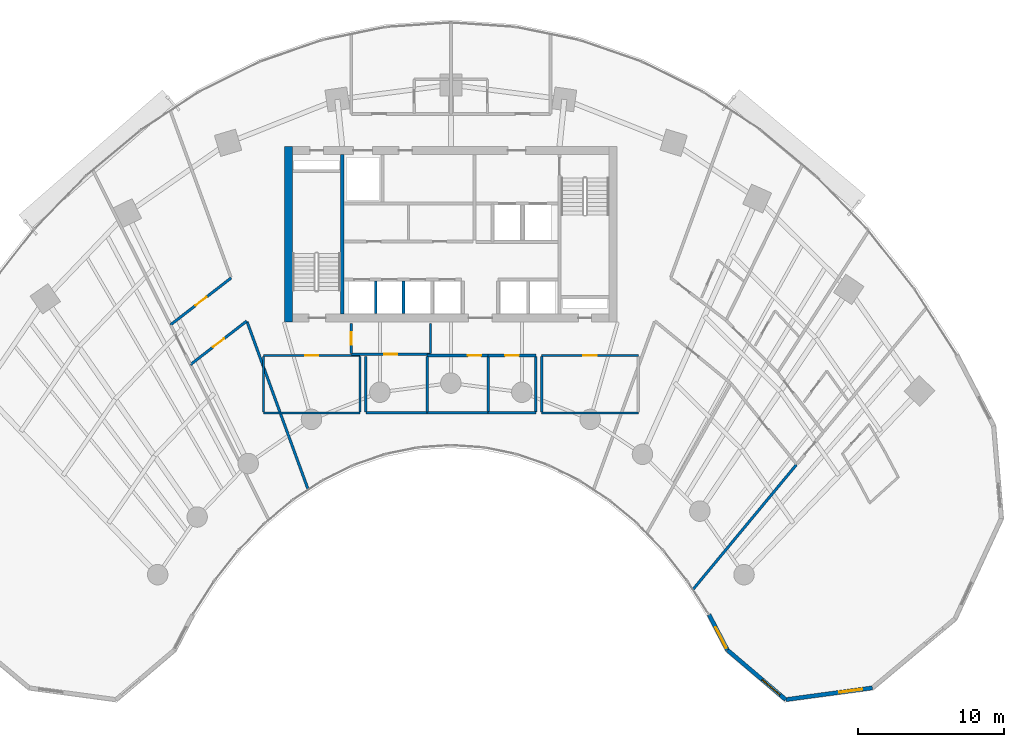
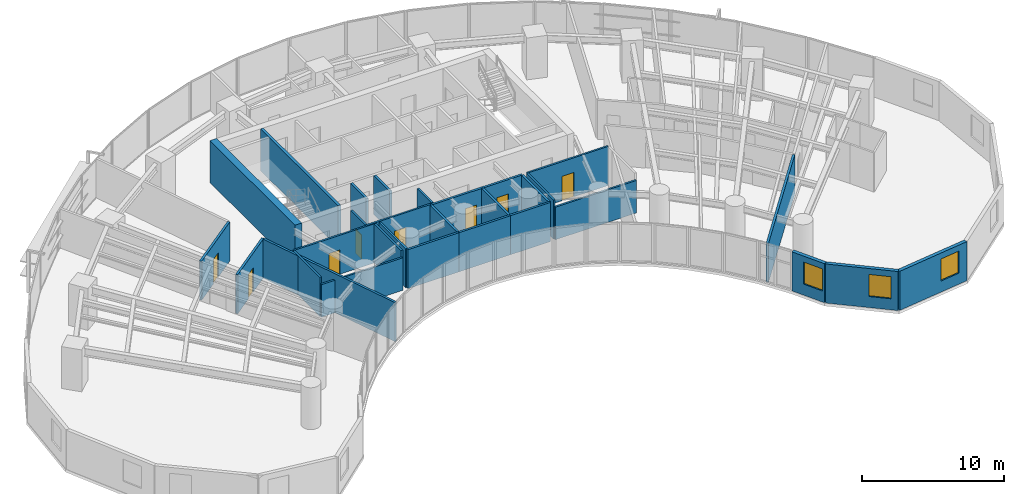
# One storey, part 11 of 17: 30 walls, 8 doors, 3 windows, 11 openings.
"""IFC4 building model written with IfcOpenShell, lengths in metres."""

from ifc_helpers import new_model, si_unit, direction, frame, frame_2d, origin, place, context, subcontext, project, spatial, rectangle, extrude, source, transform, mapped, material, layer, layer_set, type_object, type_shapes, element, fill, save


model = new_model("IFC4")

# Units and contexts
model_context = context("Model", 3, precision=1e-05, world=origin(), true_north=direction((0.0, 1.0)))
body_context = subcontext(model_context, "Body", "Model", "MODEL_VIEW")
ifc_project = project(units=[si_unit("LENGTHUNIT", "METRE"), si_unit("AREAUNIT", "SQUARE_METRE"), si_unit("VOLUMEUNIT", "CUBIC_METRE"), si_unit("PLANEANGLEUNIT", "RADIAN"), si_unit("MASSUNIT", "GRAM", prefix="KILO")], contexts=[model_context])

# Site, building, storey
site_placement = place(None, origin())
site = spatial("IfcSite", under=ifc_project, at=site_placement, CompositionType="ELEMENT")
building_placement = place(site_placement, origin())
building = spatial("IfcBuilding", under=site, at=building_placement, Name="Breltana Convention Tower", CompositionType="ELEMENT")
storey_placement = place(building_placement, frame((0.0, 0.0, 60.60009765625)))
storey = spatial("IfcBuildingStorey", under=building, at=storey_placement, Name="L13", CompositionType="ELEMENT", Elevation=60.60009765625)

# Walls
ifc_material_1 = material(Name="Concrete C60/75", Category="concrete")
ifc_layer_1 = layer(ifc_material_1, 0.550048828125, Name="Concrete C60/75")
ifc_layer_set_1 = layer_set([ifc_layer_1], Name="Concrete C60/75")
wall_type_1 = type_object("IfcWallType", Name="SW-CORE-550", PredefinedType="SHEAR", material=ifc_layer_set_1)
shared_shape_1 = source(origin(), body_context, "Body", "SweptSolid", [
    extrude(rectangle(XDim=12.0, YDim=0.550048828125, at=frame_2d((6.0, 0.0))), origin(), (0.0, 0.0, 1.0), 3.599853515625),
])
wall_1_placement = place(storey_placement, frame((36.925048828125, 60.199951171875, 0.0), z_axis=(0.0, 0.0, 1.0), x_axis=(0.0, 1.0, 0.0)))
element("IfcWall", 1, at=wall_1_placement, inside=storey, type_object=wall_type_1, Name="L13 West Core Shear Wall", PredefinedType="SHEAR", context=body_context, shape_type="MappedRepresentation", body=[
    mapped(shared_shape_1, transform((0.0, 0.0, 0.0), scale=1.0)),
])
ifc_material_2 = material(Name="Concrete C50/60", Category="concrete")
ifc_layer_2 = layer(ifc_material_2, 0.39990234375, Name="Concrete C50/60")
ifc_layer_set_2 = layer_set([ifc_layer_2], Name="Concrete C50/60")
wall_type_2 = type_object("IfcWallType", Name="SW-CORE-400", PredefinedType="SHEAR", material=ifc_layer_set_2)
shared_shape_2 = source(origin(), body_context, "Body", "SweptSolid", [
    extrude(rectangle(XDim=10.89990234375, YDim=0.219970703125, at=frame_2d((5.449951171875, 0.0))), origin(), (0.0, 0.0, 1.0), 3.599853515625),
])
wall_2_placement = place(storey_placement, frame((40.580078125, 60.75, 0.0), z_axis=(0.0, 0.0, 1.0), x_axis=(0.0, 1.0, 0.0)))
element("IfcWall", 2, at=wall_2_placement, inside=storey, type_object=wall_type_2, Name="L13 Core West Stair Spine Wall", PredefinedType="SHEAR", context=body_context, shape_type="MappedRepresentation", body=[
    mapped(shared_shape_2, transform((0.0, 0.0, 0.0), scale=1.0)),
])

# Wall, opening, window
ifc_material_3 = material(Name="Limestone Buff Insulated Wall", Category="masonry")
ifc_layer_3 = layer(ifc_material_3, 0.280029296875, Name="Limestone Buff Insulated Wall")
ifc_layer_set_3 = layer_set([ifc_layer_3], Name="Limestone Buff Insulated Wall")
wall_type_3 = type_object("IfcWallType", Name="WL-EXT-NOSE-280", PredefinedType="SOLIDWALL", material=ifc_layer_set_3)
shared_shape_3 = source(origin(), body_context, "Body", "SweptSolid", [
    extrude(rectangle(XDim=5.96728515625, YDim=0.280029296875, at=frame_2d((2.983642578125, 0.0))), origin(), (0.0, 0.0, 1.0), 3.35986328125),
])
wall_3_placement = place(storey_placement, frame((76.77734375, 35.226806640625, 0.0), z_axis=(0.0, 0.0, 1.0), x_axis=(-0.990927009341, -0.134401124099, 0.0)))
wall_3 = element("IfcWall", 3, at=wall_3_placement, inside=storey, type_object=wall_type_3, Name="L13 curved limestone nose wall E4", PredefinedType="SOLIDWALL", context=body_context, shape_type="MappedRepresentation", body=[
    mapped(shared_shape_3, transform((0.0, 0.0, 0.0), scale=1.0)),
])
opening_1_placement = place(wall_3_placement, frame((0.69189453125, 0.0, 0.949951171875)))
opening_1 = element("IfcOpeningElement", 4, at=opening_1_placement, cuts=wall_3, Name="Opening W-04", PredefinedType="OPENING", context=body_context, shape_type="SweptSolid", body=[
    extrude(rectangle(XDim=1.60009765625, YDim=1.89990234375, at=frame_2d((0.800048828125, 0.949951171875))), frame((0.0, 0.14990234375, 0.0), z_axis=(0.0, -1.0, 0.0), x_axis=(1.0, 0.0, 0.0)), (0.0, 0.0, 1.0), 0.300048828125),
])
ifc_material_4 = material(Name="Glass Low-E Insulated Window", Category="glass")
window_type = type_object("IfcWindowType", Name="WN-NOSE-1600X1900", PartitioningType="SINGLE_PANEL", PredefinedType="WINDOW", material=ifc_material_4)
shared_shape_4 = source(origin(), body_context, "Body", "SweptSolid", [
    extrude(rectangle(XDim=1.60009765625, YDim=1.89990234375, at=frame_2d((0.800048828125, 0.949951171875))), frame((0.0, 0.030029296875, 0.0), z_axis=(0.0, -1.0, 0.0), x_axis=(1.0, 0.0, 0.0)), (0.0, 0.0, 1.0), 0.06005859375),
])
type_shapes(window_type, [shared_shape_4])
window_1_placement = place(opening_1_placement, origin())
window_1 = element("IfcWindow", 5, at=window_1_placement, inside=storey, type_object=window_type, Name="L13 nose window E4", OverallHeight=1.89990234375, OverallWidth=1.60009765625, PartitioningType="SINGLE_PANEL", PredefinedType="WINDOW", context=body_context, shape_type="MappedRepresentation", body=[
    mapped(shared_shape_4, transform((0.0, 0.0, 0.0), scale=1.0)),
])
fill(opening_1, window_1)

shared_shape_5 = source(origin(), body_context, "Body", "SweptSolid", [
    extrude(rectangle(XDim=5.222412109375, YDim=0.280029296875, at=frame_2d((2.611328125, 0.0))), origin(), (0.0, 0.0, 1.0), 3.35986328125),
])
wall_4_placement = place(storey_placement, frame((70.8642578125, 34.4248046875, 0.0), z_axis=(0.0, 0.0, 1.0), x_axis=(-0.761900099546, 0.647694556339, 0.0)))
wall_4 = element("IfcWall", 6, at=wall_4_placement, inside=storey, type_object=wall_type_3, Name="L13 curved limestone nose wall E5", PredefinedType="SOLIDWALL", context=body_context, shape_type="MappedRepresentation", body=[
    mapped(shared_shape_5, transform((0.0, 0.0, 0.0), scale=1.0)),
])
opening_2_placement = place(wall_4_placement, frame((0.505615234375, 0.0, 0.949951171875)))
opening_2 = element("IfcOpeningElement", 7, at=opening_2_placement, cuts=wall_4, Name="Opening W-04", PredefinedType="OPENING", context=body_context, shape_type="SweptSolid", body=[
    extrude(rectangle(XDim=1.60009765625, YDim=1.89990234375, at=frame_2d((0.800048828125, 0.949951171875))), frame((0.0, 0.14990234375, 0.0), z_axis=(0.0, -1.0, 0.0), x_axis=(1.0, 0.0, 0.0)), (0.0, 0.0, 1.0), 0.300048828125),
])
window_2_placement = place(opening_2_placement, origin())
window_2 = element("IfcWindow", 8, at=window_2_placement, inside=storey, type_object=window_type, Name="L13 nose window E5", OverallHeight=1.89990234375, OverallWidth=1.60009765625, PartitioningType="SINGLE_PANEL", PredefinedType="WINDOW", context=body_context, shape_type="MappedRepresentation", body=[
    mapped(shared_shape_4, transform((0.0, 0.0, 0.0), scale=1.0)),
])
fill(opening_2, window_2)

shared_shape_6 = source(origin(), body_context, "Body", "SweptSolid", [
    extrude(rectangle(XDim=2.7353515625, YDim=0.280029296875, at=frame_2d((1.36767578125, 0.0))), origin(), (0.0, 0.0, 1.0), 3.35986328125),
])
wall_5_placement = place(storey_placement, frame((66.88525390625, 37.807373046875, 0.0), z_axis=(0.0, 0.0, 1.0), x_axis=(-0.46179107292, 0.886988728774, 0.0)))
wall_5 = element("IfcWall", 9, at=wall_5_placement, inside=storey, type_object=wall_type_3, Name="L13 curved limestone nose wall E6", PredefinedType="SOLIDWALL", context=body_context, shape_type="MappedRepresentation", body=[
    mapped(shared_shape_6, transform((0.0, 0.0, 0.0), scale=1.0)),
])
opening_3_placement = place(wall_5_placement, frame((0.159912109375, 0.0, 0.949951171875)))
opening_3 = element("IfcOpeningElement", 10, at=opening_3_placement, cuts=wall_5, Name="Opening W-04", PredefinedType="OPENING", context=body_context, shape_type="SweptSolid", body=[
    extrude(rectangle(XDim=1.60009765625, YDim=1.89990234375, at=frame_2d((0.800048828125, 0.949951171875))), frame((0.0, 0.14990234375, 0.0), z_axis=(0.0, -1.0, 0.0), x_axis=(1.0, 0.0, 0.0)), (0.0, 0.0, 1.0), 0.300048828125),
])
window_3_placement = place(opening_3_placement, origin())
window_3 = element("IfcWindow", 11, at=window_3_placement, inside=storey, type_object=window_type, Name="L13 nose window E6", OverallHeight=1.89990234375, OverallWidth=1.60009765625, PartitioningType="SINGLE_PANEL", PredefinedType="WINDOW", context=body_context, shape_type="MappedRepresentation", body=[
    mapped(shared_shape_4, transform((0.0, 0.0, 0.0), scale=1.0)),
])
fill(opening_3, window_3)

# Walls
ifc_material_5 = material(Name="Gypsum Acoustic Drywall Partition")
ifc_layer_4 = layer(ifc_material_5, 0.14990234375, Name="Gypsum Acoustic Drywall Partition")
ifc_layer_set_4 = layer_set([ifc_layer_4], Name="Gypsum Acoustic Drywall Partition")
wall_type_4 = type_object("IfcWallType", Name="WL-PART-150", PredefinedType="PARTITIONING", material=ifc_layer_set_4)
shared_shape_7 = source(origin(), body_context, "Body", "SweptSolid", [
    extrude(rectangle(XDim=6.60009765625, YDim=0.14990234375, at=frame_2d((3.300048828125, 0.0))), origin(), (0.0, 0.0, 1.0), 2.802978515625),
])
for number, where, z_axis, x_axis, name in (
    (12, (35.199951171875, 54.0, 0.0), (0.0, 0.0, 1.0), (1.0, 0.0, 0.0), "L13 interior partition W-L13-HSK-S"),
    (13, (54.199951171875, 54.0, 0.0), (0.0, 0.0, 1.0), (1.0, 0.0, 0.0), "L13 interior partition W-L13-HMT-S"),
):
    element("IfcWall", number, at=place(storey_placement, frame(where, z_axis=z_axis, x_axis=x_axis)), inside=storey, type_object=wall_type_4, Name=name, PredefinedType="PARTITIONING", context=body_context, shape_type="MappedRepresentation", body=[
        mapped(shared_shape_7, transform((0.0, 0.0, 0.0), scale=1.0)),
    ])
ifc_material_6 = material(Name="Autoclaved Aerated Concrete Block", Category="concrete")
ifc_layer_5 = layer(ifc_material_6, 0.199951171875, Name="Autoclaved Aerated Concrete Block")
ifc_layer_set_5 = layer_set([ifc_layer_5], Name="Autoclaved Aerated Concrete Block")
wall_type_5 = type_object("IfcWallType", Name="WL-SHAFT-200", PredefinedType="SOLIDWALL", material=ifc_layer_set_5)
shared_shape_8 = source(origin(), body_context, "Body", "SweptSolid", [
    extrude(rectangle(XDim=2.199951171875, YDim=0.199951171875, at=frame_2d((1.10009765625, 0.0))), origin(), (0.0, 0.0, 1.0), 3.35986328125),
])
for number, where, z_axis, x_axis, name in (
    (14, (42.8701171875, 60.800048828125, 0.0), (0.0, 0.0, 1.0), (0.0, 1.0, 0.0), "L13 interior partition W-L13-SH-S-DIV1"),
    (15, (44.77001953125, 60.800048828125, 0.0), (0.0, 0.0, 1.0), (0.0, 1.0, 0.0), "L13 interior partition W-L13-SH-S-DIV2"),
):
    element("IfcWall", number, at=place(storey_placement, frame(where, z_axis=z_axis, x_axis=x_axis)), inside=storey, type_object=wall_type_5, Name=name, PredefinedType="SOLIDWALL", context=body_context, shape_type="MappedRepresentation", body=[
        mapped(shared_shape_8, transform((0.0, 0.0, 0.0), scale=1.0)),
    ])

# Wall, opening, door
shared_shape_9 = source(origin(), body_context, "Body", "SweptSolid", [
    extrude(rectangle(XDim=6.60009765625, YDim=0.14990234375, at=frame_2d((3.300048828125, 0.0))), origin(), (0.0, 0.0, 1.0), 3.35986328125),
])
wall_6_placement = place(storey_placement, frame((35.199951171875, 57.919921875, 0.0), z_axis=(0.0, 0.0, 1.0), x_axis=(1.0, 0.0, 0.0)))
wall_6 = element("IfcWall", 16, at=wall_6_placement, inside=storey, type_object=wall_type_4, Name="L13 interior partition W-L13-HSK-N", PredefinedType="PARTITIONING", context=body_context, shape_type="MappedRepresentation", body=[
    mapped(shared_shape_9, transform((0.0, 0.0, 0.0), scale=1.0)),
])
opening_4_placement = place(wall_6_placement, frame((2.85009765625, 0.0, 0.0)))
opening_4 = element("IfcOpeningElement", 17, at=opening_4_placement, cuts=wall_6, Name="Opening D-18", PredefinedType="OPENING", context=body_context, shape_type="SweptSolid", body=[
    extrude(rectangle(XDim=0.89990234375, YDim=2.10009765625, at=frame_2d((0.449951171875, 1.050048828125))), frame((0.0, 0.0849609375, 0.0), z_axis=(0.0, -1.0, 0.0), x_axis=(1.0, 0.0, 0.0)), (0.0, 0.0, 1.0), 0.169921875),
])
ifc_material_7 = material(Name="Steel Riser Fire Door", Category="steel")
door_type_1 = type_object("IfcDoorType", Name="DR-FD60-900", OperationType="NOTDEFINED", PredefinedType="DOOR", material=ifc_material_7)
shared_shape_10 = source(origin(), body_context, "Body", "SweptSolid", [
    extrude(rectangle(XDim=0.89990234375, YDim=2.10009765625, at=frame_2d((0.449951171875, 1.050048828125))), frame((0.0, 0.02490234375, 0.0), z_axis=(0.0, -1.0, 0.0), x_axis=(1.0, 0.0, 0.0)), (0.0, 0.0, 1.0), 0.050048828125),
])
type_shapes(door_type_1, [shared_shape_10])
door_1_placement = place(opening_4_placement, origin())
door_1 = element("IfcDoor", 18, at=door_1_placement, inside=storey, type_object=door_type_1, Name="L13 interior door D-L13-HSK", OperationType="SINGLE_SWING_LEFT", OverallHeight=2.10009765625, OverallWidth=0.89990234375, PredefinedType="DOOR", context=body_context, shape_type="MappedRepresentation", body=[
    mapped(shared_shape_10, transform((0.0, 0.0, 0.0), scale=1.0)),
])
fill(opening_4, door_1)

wall_7_placement = place(storey_placement, frame((54.199951171875, 57.919921875, 0.0), z_axis=(0.0, 0.0, 1.0), x_axis=(1.0, 0.0, 0.0)))
wall_7 = element("IfcWall", 19, at=wall_7_placement, inside=storey, type_object=wall_type_4, Name="L13 interior partition W-L13-HMT-N", PredefinedType="PARTITIONING", context=body_context, shape_type="MappedRepresentation", body=[
    mapped(shared_shape_9, transform((0.0, 0.0, 0.0), scale=1.0)),
])
opening_5_placement = place(wall_7_placement, frame((2.824951171875, 0.0, 0.0)))
opening_5 = element("IfcOpeningElement", 20, at=opening_5_placement, cuts=wall_7, Name="Opening D-17", PredefinedType="OPENING", context=body_context, shape_type="SweptSolid", body=[
    extrude(rectangle(XDim=0.949951171875, YDim=2.10009765625, at=frame_2d((0.47509765625, 1.050048828125))), frame((0.0, 0.0849609375, 0.0), z_axis=(0.0, -1.0, 0.0), x_axis=(1.0, 0.0, 0.0)), (0.0, 0.0, 1.0), 0.169921875),
])
ifc_material_8 = material(Name="Timber Oak Veneer Door", Category="wood")
door_type_2 = type_object("IfcDoorType", Name="DR-INT-950", OperationType="NOTDEFINED", PredefinedType="DOOR", material=ifc_material_8)
shared_shape_11 = source(origin(), body_context, "Body", "SweptSolid", [
    extrude(rectangle(XDim=0.949951171875, YDim=2.10009765625, at=frame_2d((0.47509765625, 1.050048828125))), frame((0.0, 0.02490234375, 0.0), z_axis=(0.0, -1.0, 0.0), x_axis=(1.0, 0.0, 0.0)), (0.0, 0.0, 1.0), 0.050048828125),
])
type_shapes(door_type_2, [shared_shape_11])
door_2_placement = place(opening_5_placement, origin())
door_2 = element("IfcDoor", 21, at=door_2_placement, inside=storey, type_object=door_type_2, Name="L13 interior door D-L13-HMT", OperationType="SINGLE_SWING_LEFT", OverallHeight=2.10009765625, OverallWidth=0.949951171875, PredefinedType="DOOR", context=body_context, shape_type="MappedRepresentation", body=[
    mapped(shared_shape_11, transform((0.0, 0.0, 0.0), scale=1.0)),
])
fill(opening_5, door_2)

# Walls
shared_shape_12 = source(origin(), body_context, "Body", "SweptSolid", [
    extrude(rectangle(XDim=3.78515625, YDim=0.14990234375, at=frame_2d((1.892578125, 0.0))), origin(), (0.0, 0.0, 1.0), 3.35986328125),
])
for number, where, z_axis, x_axis, name in (
    (22, (35.199951171875, 54.0673828125, 0.0), (0.0, 0.0, 1.0), (0.0, 1.0, 0.0), "L13 interior partition W-L13-HSK-W"),
    (23, (41.800048828125, 54.0673828125, 0.0), (0.0, 0.0, 1.0), (0.0, 1.0, 0.0), "L13 interior partition W-L13-HSK-E"),
    (24, (54.199951171875, 54.0673828125, 0.0), (0.0, 0.0, 1.0), (0.0, 1.0, 0.0), "L13 interior partition W-L13-HMT-W"),
):
    element("IfcWall", number, at=place(storey_placement, frame(where, z_axis=z_axis, x_axis=x_axis)), inside=storey, type_object=wall_type_4, Name=name, PredefinedType="PARTITIONING", context=body_context, shape_type="MappedRepresentation", body=[
        mapped(shared_shape_12, transform((0.0, 0.0, 0.0), scale=1.0)),
    ])
ifc_material_9 = material(Name="Cement Board Wet-Area Partition")
ifc_layer_6 = layer(ifc_material_9, 0.175048828125, Name="Cement Board Wet-Area Partition")
ifc_layer_set_6 = layer_set([ifc_layer_6], Name="Cement Board Wet-Area Partition")
wall_type_6 = type_object("IfcWallType", Name="WL-WET-175", PredefinedType="PARTITIONING", material=ifc_layer_set_6)
shared_shape_13 = source(origin(), body_context, "Body", "SweptSolid", [
    extrude(rectangle(XDim=4.176025390625, YDim=0.175048828125, at=frame_2d((2.087890625, 0.0))), origin(), (0.0, 0.0, 1.0), 3.35986328125),
])
for number, where, z_axis, x_axis, name in (
    (25, (42.199951171875, 54.0, 0.0), (0.0, 0.0, 1.0), (1.0, 0.0, 0.0), "L13 interior partition W-L13-WCM-S"),
    (26, (46.3759765625, 54.0, 0.0), (0.0, 0.0, 1.0), (1.0, 0.0, 0.0), "L13 interior partition W-L13-WCF-S"),
):
    element("IfcWall", number, at=place(storey_placement, frame(where, z_axis=z_axis, x_axis=x_axis)), inside=storey, type_object=wall_type_6, Name=name, PredefinedType="PARTITIONING", context=body_context, shape_type="MappedRepresentation", body=[
        mapped(shared_shape_13, transform((0.0, 0.0, 0.0), scale=1.0)),
    ])

# Wall, opening, door
ifc_material_10 = material(Name="Moisture-Resistant Gypsum Chase Wall")
ifc_layer_7 = layer(ifc_material_10, 0.179931640625, Name="Moisture-Resistant Gypsum Chase Wall")
ifc_layer_set_7 = layer_set([ifc_layer_7], Name="Moisture-Resistant Gypsum Chase Wall")
wall_type_7 = type_object("IfcWallType", Name="WL-PLUMB-180", PredefinedType="PLUMBINGWALL", material=ifc_layer_set_7)
shared_shape_14 = source(origin(), body_context, "Body", "SweptSolid", [
    extrude(rectangle(XDim=4.176025390625, YDim=0.179931640625, at=frame_2d((2.087890625, 0.0))), origin(), (0.0, 0.0, 1.0), 3.35986328125),
])
wall_8_placement = place(storey_placement, frame((46.3759765625, 57.919921875, 0.0), z_axis=(0.0, 0.0, 1.0), x_axis=(1.0, 0.0, 0.0)))
wall_8 = element("IfcWall", 27, at=wall_8_placement, inside=storey, type_object=wall_type_7, Name="L13 interior partition W-L13-WCF-N", PredefinedType="PLUMBINGWALL", context=body_context, shape_type="MappedRepresentation", body=[
    mapped(shared_shape_14, transform((0.0, 0.0, 0.0), scale=1.0)),
])
opening_6_placement = place(wall_8_placement, frame((2.7880859375, 0.0, 0.0)))
opening_6 = element("IfcOpeningElement", 28, at=opening_6_placement, cuts=wall_8, Name="Opening D-19", PredefinedType="OPENING", context=body_context, shape_type="SweptSolid", body=[
    extrude(rectangle(XDim=0.89990234375, YDim=2.080078125, at=frame_2d((0.449951171875, 1.0400390625))), frame((0.0, 0.10009765625, 0.0), z_axis=(0.0, -1.0, 0.0), x_axis=(1.0, 0.0, 0.0)), (0.0, 0.0, 1.0), 0.199951171875),
])
ifc_material_11 = material(Name="Timber Moisture-Resistant Door", Category="wood")
door_type_3 = type_object("IfcDoorType", Name="DR-WC-900", OperationType="NOTDEFINED", PredefinedType="DOOR", material=ifc_material_11)
shared_shape_15 = source(origin(), body_context, "Body", "SweptSolid", [
    extrude(rectangle(XDim=0.89990234375, YDim=2.080078125, at=frame_2d((0.449951171875, 1.0400390625))), frame((0.0, 0.02490234375, 0.0), z_axis=(0.0, -1.0, 0.0), x_axis=(1.0, 0.0, 0.0)), (0.0, 0.0, 1.0), 0.050048828125),
])
type_shapes(door_type_3, [shared_shape_15])
door_3_placement = place(opening_6_placement, origin())
door_3 = element("IfcDoor", 29, at=door_3_placement, inside=storey, type_object=door_type_3, Name="L13 interior door D-L13-WCF", OperationType="SINGLE_SWING_LEFT", OverallHeight=2.080078125, OverallWidth=0.89990234375, PredefinedType="DOOR", context=body_context, shape_type="MappedRepresentation", body=[
    mapped(shared_shape_15, transform((0.0, 0.0, 0.0), scale=1.0)),
])
fill(opening_6, door_3)

# Walls
shared_shape_16 = source(origin(), body_context, "Body", "SweptSolid", [
    extrude(rectangle(XDim=3.7626953125, YDim=0.175048828125, at=frame_2d((1.88134765625, 0.0))), origin(), (0.0, 0.0, 1.0), 3.35986328125),
])
for number, where, z_axis, x_axis, name in (
    (30, (42.199951171875, 54.07861328125, 0.0), (0.0, 0.0, 1.0), (0.0, 1.0, 0.0), "L13 interior partition W-L13-WCM-W"),
    (31, (46.3759765625, 54.07861328125, 0.0), (0.0, 0.0, 1.0), (0.0, 1.0, 0.0), "L13 interior partition W-L13-WCM-E"),
    (32, (50.552001953125, 54.07861328125, 0.0), (0.0, 0.0, 1.0), (0.0, 1.0, 0.0), "L13 interior partition W-L13-WCF-E"),
    (33, (53.800048828125, 54.07861328125, 0.0), (0.0, 0.0, 1.0), (0.0, 1.0, 0.0), "L13 interior partition W-L13-WCA-E"),
):
    element("IfcWall", number, at=place(storey_placement, frame(where, z_axis=z_axis, x_axis=x_axis)), inside=storey, type_object=wall_type_6, Name=name, PredefinedType="PARTITIONING", context=body_context, shape_type="MappedRepresentation", body=[
        mapped(shared_shape_16, transform((0.0, 0.0, 0.0), scale=1.0)),
    ])
shared_shape_17 = source(origin(), body_context, "Body", "SweptSolid", [
    extrude(rectangle(XDim=3.248046875, YDim=0.175048828125, at=frame_2d((1.6240234375, 0.0))), origin(), (0.0, 0.0, 1.0), 3.35986328125),
])
wall_9_placement = place(storey_placement, frame((50.552001953125, 54.0, 0.0), z_axis=(0.0, 0.0, 1.0), x_axis=(1.0, 0.0, 0.0)))
element("IfcWall", 34, at=wall_9_placement, inside=storey, type_object=wall_type_6, Name="L13 interior partition W-L13-WCA-S", PredefinedType="PARTITIONING", context=body_context, shape_type="MappedRepresentation", body=[
    mapped(shared_shape_17, transform((0.0, 0.0, 0.0), scale=1.0)),
])

# Wall, opening, door
shared_shape_18 = source(origin(), body_context, "Body", "SweptSolid", [
    extrude(rectangle(XDim=3.248046875, YDim=0.179931640625, at=frame_2d((1.6240234375, 0.0))), origin(), (0.0, 0.0, 1.0), 3.35986328125),
])
wall_10_placement = place(storey_placement, frame((50.552001953125, 57.919921875, 0.0), z_axis=(0.0, 0.0, 1.0), x_axis=(1.0, 0.0, 0.0)))
wall_10 = element("IfcWall", 35, at=wall_10_placement, inside=storey, type_object=wall_type_7, Name="L13 interior partition W-L13-WCA-N", PredefinedType="PLUMBINGWALL", context=body_context, shape_type="MappedRepresentation", body=[
    mapped(shared_shape_18, transform((0.0, 0.0, 0.0), scale=1.0)),
])
opening_7_placement = place(wall_10_placement, frame((1.14892578125, 0.0, 0.0)))
opening_7 = element("IfcOpeningElement", 36, at=opening_7_placement, cuts=wall_10, Name="Opening D-16", PredefinedType="OPENING", context=body_context, shape_type="SweptSolid", body=[
    extrude(rectangle(XDim=0.949951171875, YDim=2.1201171875, at=frame_2d((0.47509765625, 1.06005859375))), frame((0.0, 0.10009765625, 0.0), z_axis=(0.0, -1.0, 0.0), x_axis=(1.0, 0.0, 0.0)), (0.0, 0.0, 1.0), 0.199951171875),
])
ifc_material_12 = material(Name="Timber Laminate Accessible Door", Category="wood")
door_type_4 = type_object("IfcDoorType", Name="DR-ACC-950", OperationType="NOTDEFINED", PredefinedType="DOOR", material=ifc_material_12)
shared_shape_19 = source(origin(), body_context, "Body", "SweptSolid", [
    extrude(rectangle(XDim=0.949951171875, YDim=2.1201171875, at=frame_2d((0.47509765625, 1.06005859375))), frame((0.0, 0.02490234375, 0.0), z_axis=(0.0, -1.0, 0.0), x_axis=(1.0, 0.0, 0.0)), (0.0, 0.0, 1.0), 0.050048828125),
])
type_shapes(door_type_4, [shared_shape_19])
door_4_placement = place(opening_7_placement, origin())
door_4 = element("IfcDoor", 37, at=door_4_placement, inside=storey, type_object=door_type_4, Name="L13 interior door D-L13-WCA", OperationType="SINGLE_SWING_RIGHT", OverallHeight=2.1201171875, OverallWidth=0.949951171875, PredefinedType="DOOR", context=body_context, shape_type="MappedRepresentation", body=[
    mapped(shared_shape_19, transform((0.0, 0.0, 0.0), scale=1.0)),
])
fill(opening_7, door_4)

shared_shape_20 = source(origin(), body_context, "Body", "SweptSolid", [
    extrude(rectangle(XDim=5.400146484375, YDim=0.14990234375, at=frame_2d((2.7001953125, 0.0))), origin(), (0.0, 0.0, 1.0), 3.35986328125),
])
wall_11_placement = place(storey_placement, frame((41.199951171875, 58.0, 0.0), z_axis=(0.0, 0.0, 1.0), x_axis=(1.0, 0.0, 0.0)))
wall_11 = element("IfcWall", 38, at=wall_11_placement, inside=storey, type_object=wall_type_4, Name="L13 interior partition W-L13-CRSC-S", PredefinedType="PARTITIONING", context=body_context, shape_type="MappedRepresentation", body=[
    mapped(shared_shape_20, transform((0.0, 0.0, 0.0), scale=1.0)),
])
opening_8_placement = place(wall_11_placement, frame((2.25, 0.0, 0.0)))
opening_8 = element("IfcOpeningElement", 39, at=opening_8_placement, cuts=wall_11, Name="Opening D-19", PredefinedType="OPENING", context=body_context, shape_type="SweptSolid", body=[
    extrude(rectangle(XDim=0.89990234375, YDim=2.080078125, at=frame_2d((0.449951171875, 1.0400390625))), frame((0.0, 0.0849609375, 0.0), z_axis=(0.0, -1.0, 0.0), x_axis=(1.0, 0.0, 0.0)), (0.0, 0.0, 1.0), 0.169921875),
])
door_5_placement = place(opening_8_placement, origin())
door_5 = element("IfcDoor", 40, at=door_5_placement, inside=storey, type_object=door_type_3, Name="L13 interior door D-L13-WCM", OperationType="SINGLE_SWING_RIGHT", OverallHeight=2.080078125, OverallWidth=0.89990234375, PredefinedType="DOOR", context=body_context, shape_type="MappedRepresentation", body=[
    mapped(shared_shape_15, transform((0.0, 0.0, 0.0), scale=1.0)),
])
fill(opening_8, door_5)

shared_shape_21 = source(origin(), body_context, "Body", "SweptSolid", [
    extrude(rectangle(XDim=2.03271484375, YDim=0.14990234375, at=frame_2d((1.016357421875, 0.0))), origin(), (0.0, 0.0, 1.0), 3.35986328125),
])
wall_12_placement = place(storey_placement, frame((41.199951171875, 58.0673828125, 0.0), z_axis=(0.0, 0.0, 1.0), x_axis=(0.0, 1.0, 0.0)))
wall_12 = element("IfcWall", 41, at=wall_12_placement, inside=storey, type_object=wall_type_4, Name="L13 interior partition W-L13-CRSC-W", PredefinedType="PARTITIONING", context=body_context, shape_type="MappedRepresentation", body=[
    mapped(shared_shape_21, transform((0.0, 0.0, 0.0), scale=1.0)),
])
opening_9_placement = place(wall_12_placement, frame((0.59130859375, 0.0, 0.0)))
opening_9 = element("IfcOpeningElement", 42, at=opening_9_placement, cuts=wall_12, Name="Opening D-20", PredefinedType="OPENING", context=body_context, shape_type="SweptSolid", body=[
    extrude(rectangle(XDim=0.85009765625, YDim=2.10009765625, at=frame_2d((0.425048828125, 1.050048828125))), frame((0.0, 0.0849609375, 0.0), z_axis=(0.0, -1.0, 0.0), x_axis=(1.0, 0.0, 0.0)), (0.0, 0.0, 1.0), 0.169921875),
])
ifc_material_13 = material(Name="Steel Closet Fire Door", Category="steel")
door_type_5 = type_object("IfcDoorType", Name="DR-FD60-850", OperationType="NOTDEFINED", PredefinedType="DOOR", material=ifc_material_13)
shared_shape_22 = source(origin(), body_context, "Body", "SweptSolid", [
    extrude(rectangle(XDim=0.85009765625, YDim=2.10009765625, at=frame_2d((0.425048828125, 1.050048828125))), frame((0.0, 0.02490234375, 0.0), z_axis=(0.0, -1.0, 0.0), x_axis=(1.0, 0.0, 0.0)), (0.0, 0.0, 1.0), 0.050048828125),
])
type_shapes(door_type_5, [shared_shape_22])
door_6_placement = place(opening_9_placement, origin())
door_6 = element("IfcDoor", 43, at=door_6_placement, inside=storey, type_object=door_type_5, Name="L13 interior door D-L13-CRSC", OperationType="SINGLE_SWING_RIGHT", OverallHeight=2.10009765625, OverallWidth=0.85009765625, PredefinedType="DOOR", context=body_context, shape_type="MappedRepresentation", body=[
    mapped(shared_shape_22, transform((0.0, 0.0, 0.0), scale=1.0)),
])
fill(opening_9, door_6)

# Wall
wall_13_placement = place(storey_placement, frame((46.60009765625, 58.0673828125, 0.0), z_axis=(0.0, 0.0, 1.0), x_axis=(0.0, 1.0, 0.0)))
element("IfcWall", 44, at=wall_13_placement, inside=storey, type_object=wall_type_4, Name="L13 interior partition W-L13-CRSC-E", PredefinedType="PARTITIONING", context=body_context, shape_type="MappedRepresentation", body=[
    mapped(shared_shape_21, transform((0.0, 0.0, 0.0), scale=1.0)),
])

# Wall, opening, door
shared_shape_23 = source(origin(), body_context, "Body", "SweptSolid", [
    extrude(rectangle(XDim=5.227294921875, YDim=0.179931640625, at=frame_2d((2.61376953125, 0.0))), origin(), (0.0, 0.0, 1.0), 3.35986328125),
])
wall_14_placement = place(storey_placement, frame((28.864501953125, 60.015380859375, 0.0), z_axis=(0.0, 0.0, 1.0), x_axis=(0.790908912792, 0.61193389485, 0.0)))
wall_14 = element("IfcWall", 45, at=wall_14_placement, inside=storey, type_object=wall_type_7, Name="L13 interior partition W-L13-SPAO1-COR", PredefinedType="PLUMBINGWALL", context=body_context, shape_type="MappedRepresentation", body=[
    mapped(shared_shape_23, transform((0.0, 0.0, 0.0), scale=1.0)),
])
opening_10_placement = place(wall_14_placement, frame((2.138671875, 0.0, 0.0)))
opening_10 = element("IfcOpeningElement", 46, at=opening_10_placement, cuts=wall_14, Name="Opening D-17", PredefinedType="OPENING", context=body_context, shape_type="SweptSolid", body=[
    extrude(rectangle(XDim=0.949951171875, YDim=2.10009765625, at=frame_2d((0.47509765625, 1.050048828125))), frame((0.0, 0.10009765625, 0.0), z_axis=(0.0, -1.0, 0.0), x_axis=(1.0, 0.0, 0.0)), (0.0, 0.0, 1.0), 0.199951171875),
])
door_7_placement = place(opening_10_placement, origin())
door_7 = element("IfcDoor", 47, at=door_7_placement, inside=storey, type_object=door_type_2, Name="L13 interior door D-L13-SPAO1", OperationType="SINGLE_SWING_LEFT", OverallHeight=2.10009765625, OverallWidth=0.949951171875, PredefinedType="DOOR", context=body_context, shape_type="MappedRepresentation", body=[
    mapped(shared_shape_11, transform((0.0, 0.0, 0.0), scale=1.0)),
])
fill(opening_10, door_7)

shared_shape_24 = source(origin(), body_context, "Body", "SweptSolid", [
    extrude(rectangle(XDim=4.854736328125, YDim=0.179931640625, at=frame_2d((2.42724609375, 0.0))), origin(), (0.0, 0.0, 1.0), 3.35986328125),
])
wall_15_placement = place(storey_placement, frame((30.228759765625, 57.3046875, 0.0), z_axis=(0.0, 0.0, 1.0), x_axis=(0.790930965655, 0.611905391028, 0.0)))
wall_15 = element("IfcWall", 48, at=wall_15_placement, inside=storey, type_object=wall_type_7, Name="L13 interior partition W-L13-SPAI1-COR", PredefinedType="PLUMBINGWALL", context=body_context, shape_type="MappedRepresentation", body=[
    mapped(shared_shape_24, transform((0.0, 0.0, 0.0), scale=1.0)),
])
opening_11_placement = place(wall_15_placement, frame((1.952392578125, 0.0, 0.0)))
opening_11 = element("IfcOpeningElement", 49, at=opening_11_placement, cuts=wall_15, Name="Opening D-17", PredefinedType="OPENING", context=body_context, shape_type="SweptSolid", body=[
    extrude(rectangle(XDim=0.949951171875, YDim=2.10009765625, at=frame_2d((0.47509765625, 1.050048828125))), frame((0.0, 0.10009765625, 0.0), z_axis=(0.0, -1.0, 0.0), x_axis=(1.0, 0.0, 0.0)), (0.0, 0.0, 1.0), 0.199951171875),
])
door_8_placement = place(opening_11_placement, origin())
door_8 = element("IfcDoor", 50, at=door_8_placement, inside=storey, type_object=door_type_2, Name="L13 interior door D-L13-SPAI1", OperationType="SINGLE_SWING_RIGHT", OverallHeight=2.10009765625, OverallWidth=0.949951171875, PredefinedType="DOOR", context=body_context, shape_type="MappedRepresentation", body=[
    mapped(shared_shape_11, transform((0.0, 0.0, 0.0), scale=1.0)),
])
fill(opening_11, door_8)

# Walls
shared_shape_25 = source(origin(), body_context, "Body", "SweptSolid", [
    extrude(rectangle(XDim=12.1962890625, YDim=0.179931640625, at=frame_2d((6.09814453125, 0.0))), origin(), (0.0, 0.0, 1.0), 3.35986328125),
])
wall_16_placement = place(storey_placement, frame((38.257568359375, 48.766357421875, 0.0), z_axis=(0.0, 0.0, 1.0), x_axis=(-0.342022711534, 0.939691686031, 0.0)))
element("IfcWall", 51, at=wall_16_placement, inside=storey, type_object=wall_type_7, Name="L13 interior partition W-L13-SPAI1-RB", PredefinedType="PLUMBINGWALL", context=body_context, shape_type="MappedRepresentation", body=[
    mapped(shared_shape_25, transform((0.0, 0.0, 0.0), scale=1.0)),
])
shared_shape_26 = source(origin(), body_context, "Body", "SweptSolid", [
    extrude(rectangle(XDim=11.05322265625, YDim=0.179931640625, at=frame_2d((5.526611328125, 0.0))), origin(), (0.0, 0.0, 1.0), 3.35986328125),
])
wall_17_placement = place(storey_placement, frame((64.533935546875, 41.948974609375, 0.0), z_axis=(0.0, 0.0, 1.0), x_axis=(0.638131235571, 0.769927611005, 0.0)))
element("IfcWall", 52, at=wall_17_placement, inside=storey, type_object=wall_type_7, Name="L13 interior partition W-L13-HE05-RB", PredefinedType="PLUMBINGWALL", context=body_context, shape_type="MappedRepresentation", body=[
    mapped(shared_shape_26, transform((0.0, 0.0, 0.0), scale=1.0)),
])

save(model, "model.ifc")
